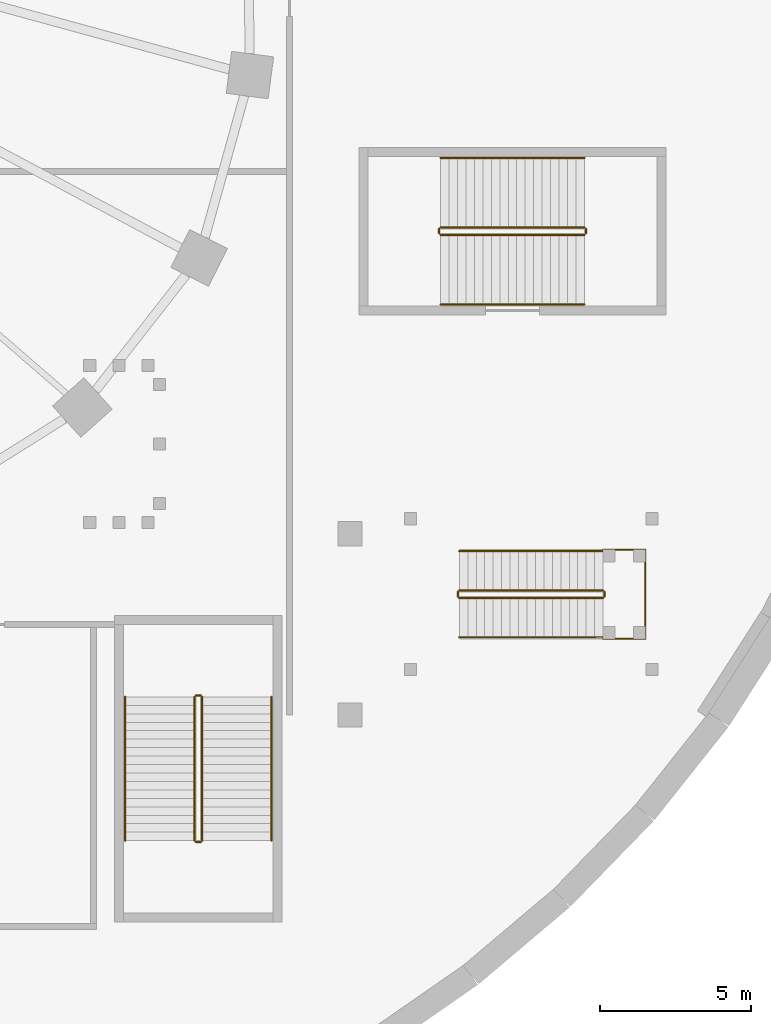
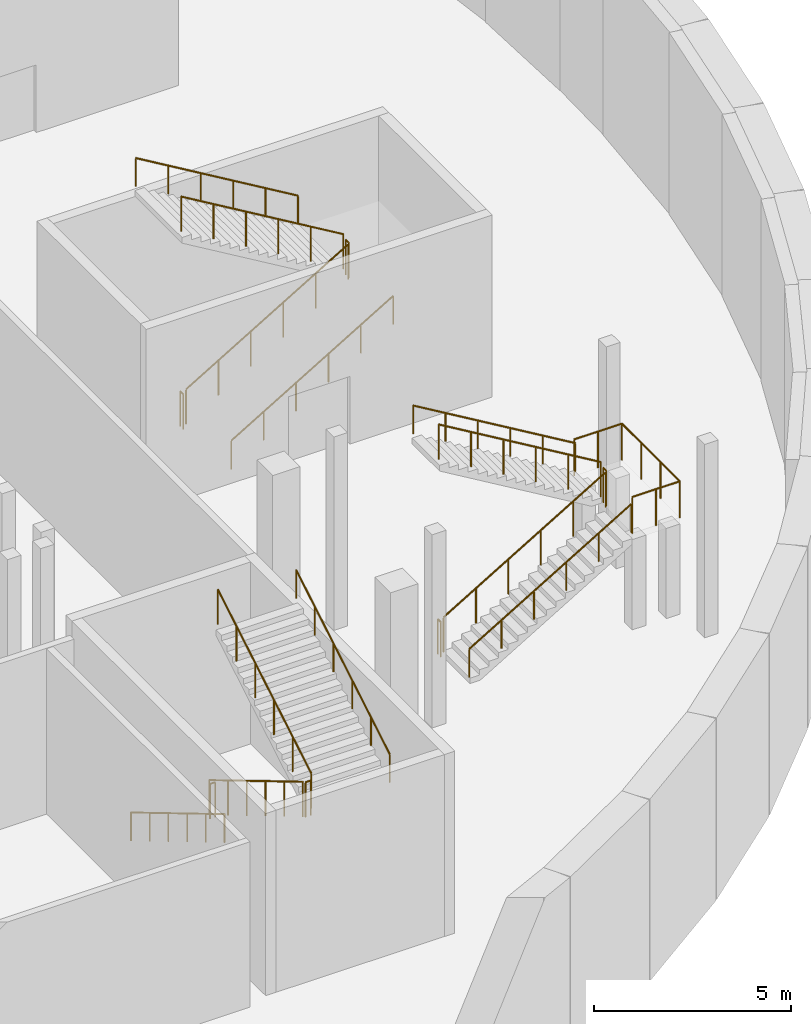
# One storey, part 16 of 19: 19 railings.
"""IFC4 building model written with IfcOpenShell, lengths in metres."""

from ifc_helpers import new_model, si_unit, direction, frame, origin, origin_2d, place, context, subcontext, project, spatial, circle, extrude, material, type_object, element, save


model = new_model("IFC4")

# Units and contexts
model_context = context("Model", 3, precision=1e-05, world=origin(), true_north=direction((0.0, 1.0)))
body_context = subcontext(model_context, "Body", "Model", "MODEL_VIEW")
ifc_project = project(units=[si_unit("LENGTHUNIT", "METRE"), si_unit("AREAUNIT", "SQUARE_METRE"), si_unit("VOLUMEUNIT", "CUBIC_METRE"), si_unit("PLANEANGLEUNIT", "RADIAN"), si_unit("MASSUNIT", "GRAM", prefix="KILO")], contexts=[model_context])

# Site, building, storey
site_placement = place(None, origin())
site = spatial("IfcSite", under=ifc_project, at=site_placement, CompositionType="ELEMENT")
building_placement = place(site_placement, origin())
building = spatial("IfcBuilding", under=site, at=building_placement, Name="Rubra Terraces Tower", CompositionType="ELEMENT")
storey_placement = place(building_placement, frame((0.0, 0.0, -6.0)))
storey = spatial("IfcBuildingStorey", under=building, at=storey_placement, Name="B1", CompositionType="ELEMENT", Elevation=-6.0)

# Railings
ifc_material_1 = material(Name="Stainless steel", Category="steel")
railing_type_1 = type_object("IfcRailingType", Name="Public stair guard 1100", PredefinedType="GUARDRAIL", material=ifc_material_1)
railing_1_placement = place(storey_placement, frame((33.0, -8.10009765625, 0.166748046875)))
element("IfcRailing", 1, at=railing_1_placement, inside=storey, type_object=railing_type_1, Name="B1 SE2 stair guard 1", PredefinedType="GUARDRAIL", context=body_context, shape_type="SweptSolid", body=[
    extrude(circle(Radius=0.02392578125, at=origin_2d()), frame((0.0, 0.0, 1.076171875), z_axis=(0.859299802514, 0.0, 0.511472237174), x_axis=(0.0, 1.0, 0.0)), (0.0, 0.0, 1.0), 5.539306640625),
    extrude(circle(Radius=0.02099609375, at=origin_2d()), origin(), (0.0, 0.0, 1.0), 1.052001953125),
    extrude(circle(Radius=0.02099609375, at=origin_2d()), frame((0.951904296875, 0.0, 0.566650390625)), (0.0, 0.0, 1.0), 1.052001953125),
    extrude(circle(Radius=0.02099609375, at=origin_2d()), frame((1.904052734375, 0.0, 1.13330078125)), (0.0, 0.0, 1.0), 1.052001953125),
    extrude(circle(Radius=0.02099609375, at=origin_2d()), frame((2.85595703125, 0.0, 1.699951171875)), (0.0, 0.0, 1.0), 1.052001953125),
    extrude(circle(Radius=0.02099609375, at=origin_2d()), frame((3.80810546875, 0.0, 2.2666015625)), (0.0, 0.0, 1.0), 1.052001953125),
    extrude(circle(Radius=0.02099609375, at=origin_2d()), frame((4.760009765625, 0.0, 2.833251953125)), (0.0, 0.0, 1.0), 1.052001953125),
])
railing_2_placement = place(storey_placement, frame((37.81005859375, -8.050048828125, 3.0)))
element("IfcRailing", 2, at=railing_2_placement, inside=storey, type_object=railing_type_1, Name="B1 SE2 stair guard 2", PredefinedType="GUARDRAIL", context=body_context, shape_type="SweptSolid", body=[
    extrude(circle(Radius=0.02392578125, at=origin_2d()), frame((0.0, 0.0, 1.076171875), z_axis=(0.0, 1.0, 0.0), x_axis=(-1.0, 0.0, 0.0)), (0.0, 0.0, 1.0), 0.150146484375),
    extrude(circle(Radius=0.02099609375, at=origin_2d()), origin(), (0.0, 0.0, 1.0), 1.052001953125),
    extrude(circle(Radius=0.02099609375, at=origin_2d()), frame((0.0, 0.150146484375, 0.0)), (0.0, 0.0, 1.0), 1.052001953125),
])
railing_3_placement = place(storey_placement, frame((37.760009765625, -7.85009765625, 3.166748046875)))
element("IfcRailing", 3, at=railing_3_placement, inside=storey, type_object=railing_type_1, Name="B1 SE2 stair guard 3", PredefinedType="GUARDRAIL", context=body_context, shape_type="SweptSolid", body=[
    extrude(circle(Radius=0.02392578125, at=origin_2d()), frame((0.0, 0.0, 1.076171875), z_axis=(-0.859299802514, 0.0, 0.511472237174), x_axis=(0.0, -1.0, 0.0)), (0.0, 0.0, 1.0), 5.539306640625),
    extrude(circle(Radius=0.02099609375, at=origin_2d()), origin(), (0.0, 0.0, 1.0), 1.052001953125),
    extrude(circle(Radius=0.02099609375, at=origin_2d()), frame((-0.951904296875, 0.0, 0.566650390625)), (0.0, 0.0, 1.0), 1.052001953125),
    extrude(circle(Radius=0.02099609375, at=origin_2d()), frame((-1.904052734375, 0.0, 1.13330078125)), (0.0, 0.0, 1.0), 1.052001953125),
    extrude(circle(Radius=0.02099609375, at=origin_2d()), frame((-2.85595703125, 0.0, 1.699951171875)), (0.0, 0.0, 1.0), 1.052001953125),
    extrude(circle(Radius=0.02099609375, at=origin_2d()), frame((-3.80810546875, 0.0, 2.2666015625)), (0.0, 0.0, 1.0), 1.052001953125),
    extrude(circle(Radius=0.02099609375, at=origin_2d()), frame((-4.760009765625, 0.0, 2.833251953125)), (0.0, 0.0, 1.0), 1.052001953125),
])
railing_4_placement = place(storey_placement, frame((32.949951171875, -8.050048828125, 0.0)))
element("IfcRailing", 4, at=railing_4_placement, inside=storey, type_object=railing_type_1, Name="B1 SE2 stair guard 4", PredefinedType="GUARDRAIL", context=body_context, shape_type="SweptSolid", body=[
    extrude(circle(Radius=0.02392578125, at=origin_2d()), frame((0.0, 0.0, 1.076171875), z_axis=(0.0, 1.0, 0.0), x_axis=(-1.0, 0.0, 0.0)), (0.0, 0.0, 1.0), 0.150146484375),
    extrude(circle(Radius=0.02099609375, at=origin_2d()), origin(), (0.0, 0.0, 1.0), 1.052001953125),
    extrude(circle(Radius=0.02099609375, at=origin_2d()), frame((0.0, 0.150146484375, 0.0)), (0.0, 0.0, 1.0), 1.052001953125),
])
railing_5_placement = place(storey_placement, frame((24.85009765625, -23.39990234375, 0.166748046875)))
element("IfcRailing", 5, at=railing_5_placement, inside=storey, type_object=railing_type_1, Name="B1 SE7 stair guard 1", PredefinedType="GUARDRAIL", context=body_context, shape_type="SweptSolid", body=[
    extrude(circle(Radius=0.02392578125, at=origin_2d()), frame((0.0, 0.0, 1.076171875), z_axis=(0.0, -0.859299802514, 0.511472237174), x_axis=(1.0, 0.0, 0.0)), (0.0, 0.0, 1.0), 5.539306640625),
    extrude(circle(Radius=0.02099609375, at=origin_2d()), origin(), (0.0, 0.0, 1.0), 1.052001953125),
    extrude(circle(Radius=0.02099609375, at=origin_2d()), frame((0.0, -0.951904296875, 0.566650390625)), (0.0, 0.0, 1.0), 1.052001953125),
    extrude(circle(Radius=0.02099609375, at=origin_2d()), frame((0.0, -1.904052734375, 1.13330078125)), (0.0, 0.0, 1.0), 1.052001953125),
    extrude(circle(Radius=0.02099609375, at=origin_2d()), frame((0.0, -2.85595703125, 1.699951171875)), (0.0, 0.0, 1.0), 1.052001953125),
    extrude(circle(Radius=0.02099609375, at=origin_2d()), frame((0.0, -3.80810546875, 2.2666015625)), (0.0, 0.0, 1.0), 1.052001953125),
    extrude(circle(Radius=0.02099609375, at=origin_2d()), frame((0.0, -4.760009765625, 2.833251953125)), (0.0, 0.0, 1.0), 1.052001953125),
])
railing_6_placement = place(storey_placement, frame((24.89990234375, -28.2099609375, 3.0)))
element("IfcRailing", 6, at=railing_6_placement, inside=storey, type_object=railing_type_1, Name="B1 SE7 stair guard 2", PredefinedType="GUARDRAIL", context=body_context, shape_type="SweptSolid", body=[
    extrude(circle(Radius=0.02392578125, at=origin_2d()), frame((0.0, 0.0, 1.076171875), z_axis=(1.0, 0.0, 0.0), x_axis=(0.0, 1.0, 0.0)), (0.0, 0.0, 1.0), 0.150146484375),
    extrude(circle(Radius=0.02099609375, at=origin_2d()), origin(), (0.0, 0.0, 1.0), 1.052001953125),
    extrude(circle(Radius=0.02099609375, at=origin_2d()), frame((0.150146484375, 0.0, 0.0)), (0.0, 0.0, 1.0), 1.052001953125),
])
railing_7_placement = place(storey_placement, frame((25.10009765625, -28.159912109375, 3.166748046875)))
element("IfcRailing", 7, at=railing_7_placement, inside=storey, type_object=railing_type_1, Name="B1 SE7 stair guard 3", PredefinedType="GUARDRAIL", context=body_context, shape_type="SweptSolid", body=[
    extrude(circle(Radius=0.02392578125, at=origin_2d()), frame((0.0, 0.0, 1.076171875), z_axis=(0.0, 0.859299802514, 0.511472237174), x_axis=(-1.0, 0.0, 0.0)), (0.0, 0.0, 1.0), 5.539306640625),
    extrude(circle(Radius=0.02099609375, at=origin_2d()), origin(), (0.0, 0.0, 1.0), 1.052001953125),
    extrude(circle(Radius=0.02099609375, at=origin_2d()), frame((0.0, 0.951904296875, 0.566650390625)), (0.0, 0.0, 1.0), 1.052001953125),
    extrude(circle(Radius=0.02099609375, at=origin_2d()), frame((0.0, 1.904052734375, 1.13330078125)), (0.0, 0.0, 1.0), 1.052001953125),
    extrude(circle(Radius=0.02099609375, at=origin_2d()), frame((0.0, 2.85595703125, 1.699951171875)), (0.0, 0.0, 1.0), 1.052001953125),
    extrude(circle(Radius=0.02099609375, at=origin_2d()), frame((0.0, 3.80810546875, 2.2666015625)), (0.0, 0.0, 1.0), 1.052001953125),
    extrude(circle(Radius=0.02099609375, at=origin_2d()), frame((0.0, 4.760009765625, 2.833251953125)), (0.0, 0.0, 1.0), 1.052001953125),
])
railing_8_placement = place(storey_placement, frame((24.89990234375, -23.35009765625, 0.0)))
element("IfcRailing", 8, at=railing_8_placement, inside=storey, type_object=railing_type_1, Name="B1 SE7 stair guard 4", PredefinedType="GUARDRAIL", context=body_context, shape_type="SweptSolid", body=[
    extrude(circle(Radius=0.02392578125, at=origin_2d()), frame((0.0, 0.0, 1.076171875), z_axis=(1.0, 0.0, 0.0), x_axis=(0.0, 1.0, 0.0)), (0.0, 0.0, 1.0), 0.150146484375),
    extrude(circle(Radius=0.02099609375, at=origin_2d()), origin(), (0.0, 0.0, 1.0), 1.052001953125),
    extrude(circle(Radius=0.02099609375, at=origin_2d()), frame((0.150146484375, 0.0, 0.0)), (0.0, 0.0, 1.0), 1.052001953125),
])
railing_type_2 = type_object("IfcRailingType", Name="Public stair handrail 900", PredefinedType="HANDRAIL", material=ifc_material_1)
railing_9_placement = place(storey_placement, frame((33.0, -10.39990234375, 0.166748046875)))
element("IfcRailing", 9, at=railing_9_placement, inside=storey, type_object=railing_type_2, Name="B1 SE2 stair handrail 1", PredefinedType="HANDRAIL", context=body_context, shape_type="SweptSolid", body=[
    extrude(circle(Radius=0.02392578125, at=origin_2d()), frame((0.0, 0.0, 0.8759765625), z_axis=(0.859299802514, 0.0, 0.511472237174), x_axis=(0.0, 1.0, 0.0)), (0.0, 0.0, 1.0), 5.539306640625),
    extrude(circle(Radius=0.02099609375, at=origin_2d()), origin(), (0.0, 0.0, 1.0), 0.851806640625),
    extrude(circle(Radius=0.02099609375, at=origin_2d()), frame((0.951904296875, 0.0, 0.566650390625)), (0.0, 0.0, 1.0), 0.851806640625),
    extrude(circle(Radius=0.02099609375, at=origin_2d()), frame((1.904052734375, 0.0, 1.13330078125)), (0.0, 0.0, 1.0), 0.851806640625),
    extrude(circle(Radius=0.02099609375, at=origin_2d()), frame((2.85595703125, 0.0, 1.699951171875)), (0.0, 0.0, 1.0), 0.851806640625),
    extrude(circle(Radius=0.02099609375, at=origin_2d()), frame((3.80810546875, 0.0, 2.2666015625)), (0.0, 0.0, 1.0), 0.851806640625),
    extrude(circle(Radius=0.02099609375, at=origin_2d()), frame((4.760009765625, 0.0, 2.833251953125)), (0.0, 0.0, 1.0), 0.851806640625),
])
railing_10_placement = place(storey_placement, frame((37.760009765625, -5.550048828125, 3.166748046875)))
element("IfcRailing", 10, at=railing_10_placement, inside=storey, type_object=railing_type_2, Name="B1 SE2 stair handrail 2", PredefinedType="HANDRAIL", context=body_context, shape_type="SweptSolid", body=[
    extrude(circle(Radius=0.02392578125, at=origin_2d()), frame((0.0, 0.0, 0.8759765625), z_axis=(-0.859299802514, 0.0, 0.511472237174), x_axis=(0.0, -1.0, 0.0)), (0.0, 0.0, 1.0), 5.539306640625),
    extrude(circle(Radius=0.02099609375, at=origin_2d()), origin(), (0.0, 0.0, 1.0), 0.851806640625),
    extrude(circle(Radius=0.02099609375, at=origin_2d()), frame((-0.951904296875, 0.0, 0.566650390625)), (0.0, 0.0, 1.0), 0.851806640625),
    extrude(circle(Radius=0.02099609375, at=origin_2d()), frame((-1.904052734375, 0.0, 1.13330078125)), (0.0, 0.0, 1.0), 0.851806640625),
    extrude(circle(Radius=0.02099609375, at=origin_2d()), frame((-2.85595703125, 0.0, 1.699951171875)), (0.0, 0.0, 1.0), 0.851806640625),
    extrude(circle(Radius=0.02099609375, at=origin_2d()), frame((-3.80810546875, 0.0, 2.2666015625)), (0.0, 0.0, 1.0), 0.851806640625),
    extrude(circle(Radius=0.02099609375, at=origin_2d()), frame((-4.760009765625, 0.0, 2.833251953125)), (0.0, 0.0, 1.0), 0.851806640625),
])
railing_11_placement = place(storey_placement, frame((22.550048828125, -23.39990234375, 0.166748046875)))
element("IfcRailing", 11, at=railing_11_placement, inside=storey, type_object=railing_type_2, Name="B1 SE7 stair handrail 1", PredefinedType="HANDRAIL", context=body_context, shape_type="SweptSolid", body=[
    extrude(circle(Radius=0.02392578125, at=origin_2d()), frame((0.0, 0.0, 0.8759765625), z_axis=(0.0, -0.859299802514, 0.511472237174), x_axis=(1.0, 0.0, 0.0)), (0.0, 0.0, 1.0), 5.539306640625),
    extrude(circle(Radius=0.02099609375, at=origin_2d()), origin(), (0.0, 0.0, 1.0), 0.851806640625),
    extrude(circle(Radius=0.02099609375, at=origin_2d()), frame((0.0, -0.951904296875, 0.566650390625)), (0.0, 0.0, 1.0), 0.851806640625),
    extrude(circle(Radius=0.02099609375, at=origin_2d()), frame((0.0, -1.904052734375, 1.13330078125)), (0.0, 0.0, 1.0), 0.851806640625),
    extrude(circle(Radius=0.02099609375, at=origin_2d()), frame((0.0, -2.85595703125, 1.699951171875)), (0.0, 0.0, 1.0), 0.851806640625),
    extrude(circle(Radius=0.02099609375, at=origin_2d()), frame((0.0, -3.80810546875, 2.2666015625)), (0.0, 0.0, 1.0), 0.851806640625),
    extrude(circle(Radius=0.02099609375, at=origin_2d()), frame((0.0, -4.760009765625, 2.833251953125)), (0.0, 0.0, 1.0), 0.851806640625),
])
railing_12_placement = place(storey_placement, frame((27.39990234375, -28.159912109375, 3.166748046875)))
element("IfcRailing", 12, at=railing_12_placement, inside=storey, type_object=railing_type_2, Name="B1 SE7 stair handrail 2", PredefinedType="HANDRAIL", context=body_context, shape_type="SweptSolid", body=[
    extrude(circle(Radius=0.02392578125, at=origin_2d()), frame((0.0, 0.0, 0.8759765625), z_axis=(0.0, 0.859299802514, 0.511472237174), x_axis=(-1.0, 0.0, 0.0)), (0.0, 0.0, 1.0), 5.539306640625),
    extrude(circle(Radius=0.02099609375, at=origin_2d()), origin(), (0.0, 0.0, 1.0), 0.851806640625),
    extrude(circle(Radius=0.02099609375, at=origin_2d()), frame((0.0, 0.951904296875, 0.566650390625)), (0.0, 0.0, 1.0), 0.851806640625),
    extrude(circle(Radius=0.02099609375, at=origin_2d()), frame((0.0, 1.904052734375, 1.13330078125)), (0.0, 0.0, 1.0), 0.851806640625),
    extrude(circle(Radius=0.02099609375, at=origin_2d()), frame((0.0, 2.85595703125, 1.699951171875)), (0.0, 0.0, 1.0), 0.851806640625),
    extrude(circle(Radius=0.02099609375, at=origin_2d()), frame((0.0, 3.80810546875, 2.2666015625)), (0.0, 0.0, 1.0), 0.851806640625),
    extrude(circle(Radius=0.02099609375, at=origin_2d()), frame((0.0, 4.760009765625, 2.833251953125)), (0.0, 0.0, 1.0), 0.851806640625),
])
ifc_material_2 = material(Name="Steel, powder-coated dark grey", Category="steel")
railing_type_3 = type_object("IfcRailingType", Name="Station stair guard 1100", PredefinedType="GUARDRAIL", material=ifc_material_2)
railing_13_placement = place(storey_placement, frame((33.6201171875, -20.125, 0.166748046875)))
element("IfcRailing", 13, at=railing_13_placement, inside=storey, type_object=railing_type_3, Name="B1 SP4-S stair guard 1", PredefinedType="GUARDRAIL", context=body_context, shape_type="SweptSolid", body=[
    extrude(circle(Radius=0.02392578125, at=origin_2d()), frame((0.0, 0.0, 1.076171875), z_axis=(0.859288272078, 0.0, 0.511491608405), x_axis=(0.0, 1.0, 0.0)), (0.0, 0.0, 1.0), 5.539306640625),
    extrude(circle(Radius=0.02099609375, at=origin_2d()), origin(), (0.0, 0.0, 1.0), 1.052001953125),
    extrude(circle(Radius=0.02099609375, at=origin_2d()), frame((0.951904296875, 0.0, 0.566650390625)), (0.0, 0.0, 1.0), 1.052001953125),
    extrude(circle(Radius=0.02099609375, at=origin_2d()), frame((1.90380859375, 0.0, 1.13330078125)), (0.0, 0.0, 1.0), 1.052001953125),
    extrude(circle(Radius=0.02099609375, at=origin_2d()), frame((2.85595703125, 0.0, 1.699951171875)), (0.0, 0.0, 1.0), 1.052001953125),
    extrude(circle(Radius=0.02099609375, at=origin_2d()), frame((3.807861328125, 0.0, 2.2666015625)), (0.0, 0.0, 1.0), 1.052001953125),
    extrude(circle(Radius=0.02099609375, at=origin_2d()), frame((4.759765625, 0.0, 2.833251953125)), (0.0, 0.0, 1.0), 1.052001953125),
])
railing_14_placement = place(storey_placement, frame((38.429931640625, -20.074951171875, 3.0)))
element("IfcRailing", 14, at=railing_14_placement, inside=storey, type_object=railing_type_3, Name="B1 SP4-S stair guard 2", PredefinedType="GUARDRAIL", context=body_context, shape_type="SweptSolid", body=[
    extrude(circle(Radius=0.02392578125, at=origin_2d()), frame((0.0, 0.0, 1.076171875), z_axis=(0.0, 1.0, 0.0), x_axis=(-1.0, 0.0, 0.0)), (0.0, 0.0, 1.0), 0.14990234375),
    extrude(circle(Radius=0.02099609375, at=origin_2d()), origin(), (0.0, 0.0, 1.0), 1.052001953125),
    extrude(circle(Radius=0.02099609375, at=origin_2d()), frame((0.0, 0.14990234375, 0.0)), (0.0, 0.0, 1.0), 1.052001953125),
])
railing_15_placement = place(storey_placement, frame((38.3798828125, -19.875, 3.166748046875)))
element("IfcRailing", 15, at=railing_15_placement, inside=storey, type_object=railing_type_3, Name="B1 SP4-S stair guard 3", PredefinedType="GUARDRAIL", context=body_context, shape_type="SweptSolid", body=[
    extrude(circle(Radius=0.02392578125, at=origin_2d()), frame((0.0, 0.0, 1.076171875), z_axis=(-0.859288272078, 0.0, 0.511491608405), x_axis=(0.0, -1.0, 0.0)), (0.0, 0.0, 1.0), 5.539306640625),
    extrude(circle(Radius=0.02099609375, at=origin_2d()), origin(), (0.0, 0.0, 1.0), 1.052001953125),
    extrude(circle(Radius=0.02099609375, at=origin_2d()), frame((-0.951904296875, 0.0, 0.566650390625)), (0.0, 0.0, 1.0), 1.052001953125),
    extrude(circle(Radius=0.02099609375, at=origin_2d()), frame((-1.90380859375, 0.0, 1.13330078125)), (0.0, 0.0, 1.0), 1.052001953125),
    extrude(circle(Radius=0.02099609375, at=origin_2d()), frame((-2.85595703125, 0.0, 1.699951171875)), (0.0, 0.0, 1.0), 1.052001953125),
    extrude(circle(Radius=0.02099609375, at=origin_2d()), frame((-3.807861328125, 0.0, 2.2666015625)), (0.0, 0.0, 1.0), 1.052001953125),
    extrude(circle(Radius=0.02099609375, at=origin_2d()), frame((-4.759765625, 0.0, 2.833251953125)), (0.0, 0.0, 1.0), 1.052001953125),
])
railing_16_placement = place(storey_placement, frame((33.570068359375, -20.074951171875, 0.0)))
element("IfcRailing", 16, at=railing_16_placement, inside=storey, type_object=railing_type_3, Name="B1 SP4-S stair guard 4", PredefinedType="GUARDRAIL", context=body_context, shape_type="SweptSolid", body=[
    extrude(circle(Radius=0.02392578125, at=origin_2d()), frame((0.0, 0.0, 1.076171875), z_axis=(0.0, 1.0, 0.0), x_axis=(-1.0, 0.0, 0.0)), (0.0, 0.0, 1.0), 0.14990234375),
    extrude(circle(Radius=0.02099609375, at=origin_2d()), origin(), (0.0, 0.0, 1.0), 1.052001953125),
    extrude(circle(Radius=0.02099609375, at=origin_2d()), frame((0.0, 0.14990234375, 0.0)), (0.0, 0.0, 1.0), 1.052001953125),
])
railing_17_placement = place(storey_placement, frame((38.3798828125, -21.47509765625, 3.0)))
element("IfcRailing", 17, at=railing_17_placement, inside=storey, type_object=railing_type_3, Name="Pavilion SP4 stair landing guard", PredefinedType="GUARDRAIL", context=body_context, shape_type="SweptSolid", body=[
    extrude(circle(Radius=0.02392578125, at=origin_2d()), frame((0.0, 0.0, 1.1259765625), z_axis=(1.0, 0.0, 0.0), x_axis=(0.0, 1.0, 0.0)), (0.0, 0.0, 1.0), 1.400146484375),
    extrude(circle(Radius=0.02392578125, at=origin_2d()), frame((1.400146484375, 0.0, 1.1259765625), z_axis=(0.0, 1.0, 0.0), x_axis=(-1.0, 0.0, 0.0)), (0.0, 0.0, 1.0), 2.9501953125),
    extrude(circle(Radius=0.02392578125, at=origin_2d()), frame((1.400146484375, 2.9501953125, 1.1259765625), z_axis=(-1.0, 0.0, 0.0), x_axis=(0.0, -1.0, 0.0)), (0.0, 0.0, 1.0), 1.400146484375),
    extrude(circle(Radius=0.02099609375, at=origin_2d()), origin(), (0.0, 0.0, 1.0), 1.101806640625),
    extrude(circle(Radius=0.02099609375, at=origin_2d()), frame((0.7001953125, 0.0, 0.0)), (0.0, 0.0, 1.0), 1.101806640625),
    extrude(circle(Radius=0.02099609375, at=origin_2d()), frame((1.400146484375, 0.0, 0.0)), (0.0, 0.0, 1.0), 1.101806640625),
    extrude(circle(Radius=0.02099609375, at=origin_2d()), frame((1.400146484375, 0.9833984375, 0.0)), (0.0, 0.0, 1.0), 1.101806640625),
    extrude(circle(Radius=0.02099609375, at=origin_2d()), frame((1.400146484375, 1.966796875, 0.0)), (0.0, 0.0, 1.0), 1.101806640625),
    extrude(circle(Radius=0.02099609375, at=origin_2d()), frame((1.400146484375, 2.9501953125, 0.0)), (0.0, 0.0, 1.0), 1.101806640625),
    extrude(circle(Radius=0.02099609375, at=origin_2d()), frame((0.7001953125, 2.9501953125, 0.0)), (0.0, 0.0, 1.0), 1.101806640625),
    extrude(circle(Radius=0.02099609375, at=origin_2d()), frame((0.0, 2.9501953125, 0.0)), (0.0, 0.0, 1.0), 1.101806640625),
])
railing_type_4 = type_object("IfcRailingType", Name="Station stair handrail 900", PredefinedType="HANDRAIL", material=ifc_material_2)
railing_18_placement = place(storey_placement, frame((33.6201171875, -21.425048828125, 0.166748046875)))
element("IfcRailing", 18, at=railing_18_placement, inside=storey, type_object=railing_type_4, Name="B1 SP4-S stair handrail 1", PredefinedType="HANDRAIL", context=body_context, shape_type="SweptSolid", body=[
    extrude(circle(Radius=0.02392578125, at=origin_2d()), frame((0.0, 0.0, 0.8759765625), z_axis=(0.859288272078, 0.0, 0.511491608405), x_axis=(0.0, 1.0, 0.0)), (0.0, 0.0, 1.0), 5.539306640625),
    extrude(circle(Radius=0.02099609375, at=origin_2d()), origin(), (0.0, 0.0, 1.0), 0.851806640625),
    extrude(circle(Radius=0.02099609375, at=origin_2d()), frame((0.951904296875, 0.0, 0.566650390625)), (0.0, 0.0, 1.0), 0.851806640625),
    extrude(circle(Radius=0.02099609375, at=origin_2d()), frame((1.90380859375, 0.0, 1.13330078125)), (0.0, 0.0, 1.0), 0.851806640625),
    extrude(circle(Radius=0.02099609375, at=origin_2d()), frame((2.85595703125, 0.0, 1.699951171875)), (0.0, 0.0, 1.0), 0.851806640625),
    extrude(circle(Radius=0.02099609375, at=origin_2d()), frame((3.807861328125, 0.0, 2.2666015625)), (0.0, 0.0, 1.0), 0.851806640625),
    extrude(circle(Radius=0.02099609375, at=origin_2d()), frame((4.759765625, 0.0, 2.833251953125)), (0.0, 0.0, 1.0), 0.851806640625),
])
railing_19_placement = place(storey_placement, frame((38.3798828125, -18.574951171875, 3.166748046875)))
element("IfcRailing", 19, at=railing_19_placement, inside=storey, type_object=railing_type_4, Name="B1 SP4-S stair handrail 2", PredefinedType="HANDRAIL", context=body_context, shape_type="SweptSolid", body=[
    extrude(circle(Radius=0.02392578125, at=origin_2d()), frame((0.0, 0.0, 0.8759765625), z_axis=(-0.859288272078, 0.0, 0.511491608405), x_axis=(0.0, -1.0, 0.0)), (0.0, 0.0, 1.0), 5.539306640625),
    extrude(circle(Radius=0.02099609375, at=origin_2d()), origin(), (0.0, 0.0, 1.0), 0.851806640625),
    extrude(circle(Radius=0.02099609375, at=origin_2d()), frame((-0.951904296875, 0.0, 0.566650390625)), (0.0, 0.0, 1.0), 0.851806640625),
    extrude(circle(Radius=0.02099609375, at=origin_2d()), frame((-1.90380859375, 0.0, 1.13330078125)), (0.0, 0.0, 1.0), 0.851806640625),
    extrude(circle(Radius=0.02099609375, at=origin_2d()), frame((-2.85595703125, 0.0, 1.699951171875)), (0.0, 0.0, 1.0), 0.851806640625),
    extrude(circle(Radius=0.02099609375, at=origin_2d()), frame((-3.807861328125, 0.0, 2.2666015625)), (0.0, 0.0, 1.0), 0.851806640625),
    extrude(circle(Radius=0.02099609375, at=origin_2d()), frame((-4.759765625, 0.0, 2.833251953125)), (0.0, 0.0, 1.0), 0.851806640625),
])

save(model, "model.ifc")
